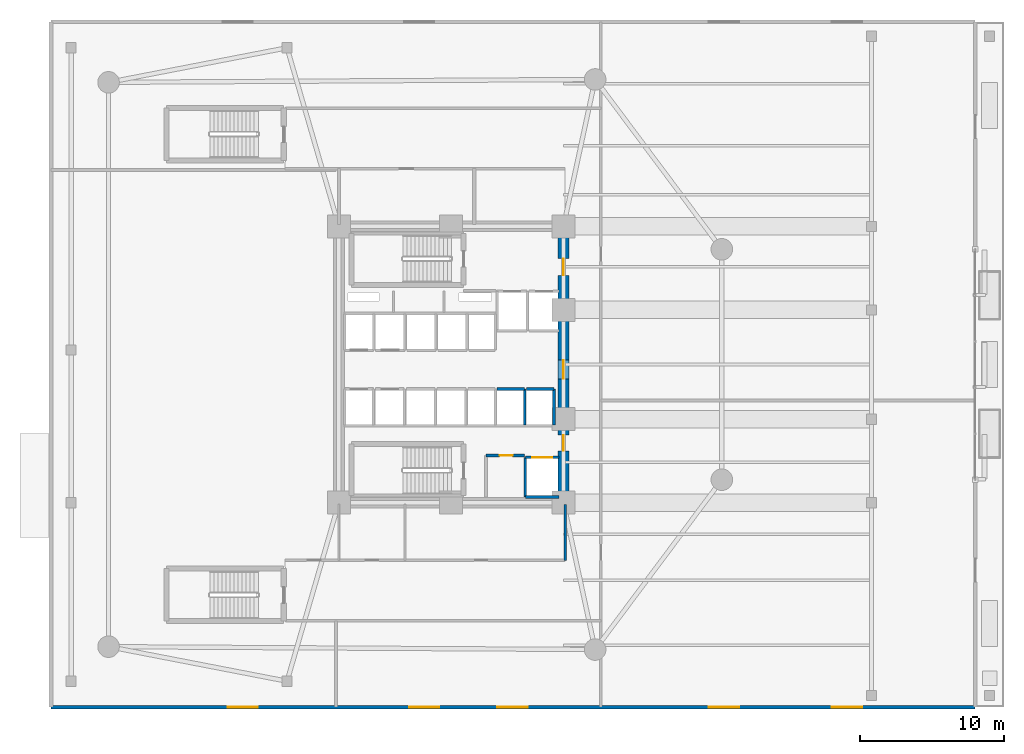
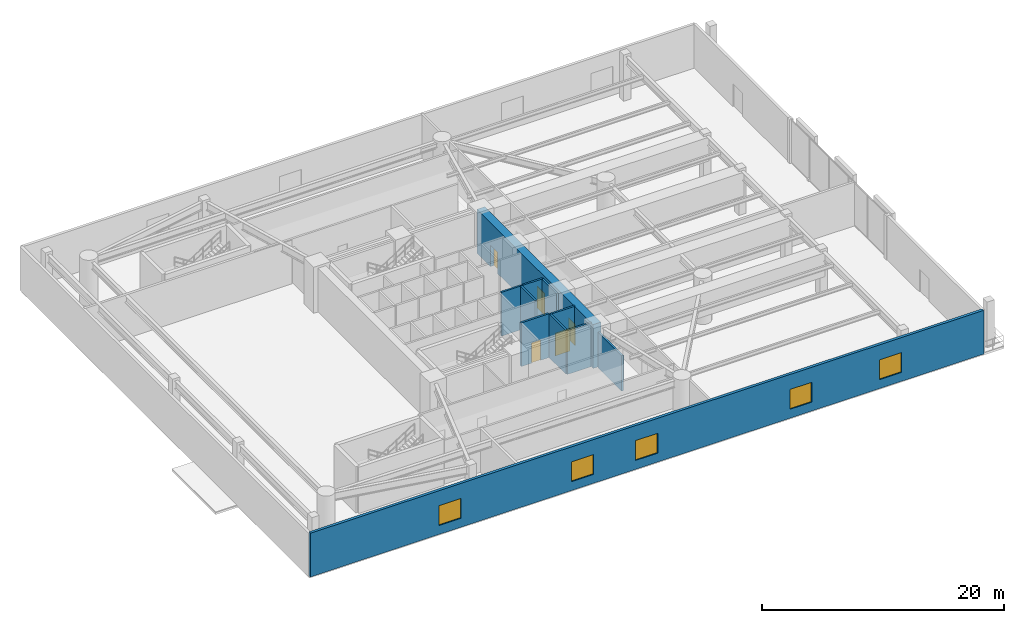
# One storey, part 6 of 11: 11 walls, 5 doors, 5 windows, 10 openings.
"""IFC4 building model written with IfcOpenShell, lengths in metres."""

from ifc_helpers import new_model, si_unit, direction, frame, frame_2d, origin, place, context, subcontext, project, spatial, rectangle, extrude, material, layer, layer_set, type_object, element, fill, save


model = new_model("IFC4")

# Units and contexts
model_context = context("Model", 3, precision=1e-05, world=origin(), true_north=direction((0.0, 1.0)))
body_context = subcontext(model_context, "Body", "Model", "MODEL_VIEW")
ifc_project = project(units=[si_unit("LENGTHUNIT", "METRE"), si_unit("AREAUNIT", "SQUARE_METRE"), si_unit("VOLUMEUNIT", "CUBIC_METRE"), si_unit("PLANEANGLEUNIT", "RADIAN"), si_unit("MASSUNIT", "GRAM", prefix="KILO")], contexts=[model_context])

# Site, building, storey
site_placement = place(None, origin())
site = spatial("IfcSite", under=ifc_project, at=site_placement, CompositionType="ELEMENT")
building_placement = place(site_placement, origin())
building = spatial("IfcBuilding", under=site, at=building_placement, Name="An Khanh Terracotta Commons", CompositionType="ELEMENT")
storey_placement = place(building_placement, frame((0.0, 0.0, 19.35009765625)))
storey = spatial("IfcBuildingStorey", under=building, at=storey_placement, Name="L05", CompositionType="ELEMENT", Elevation=19.35009765625)

# Wall, openings, doors
ifc_material_1 = material(Name="Concrete C70/85", Category="concrete")
ifc_layer_1 = layer(ifc_material_1, 0.75, Name="Concrete C70/85")
ifc_layer_set_1 = layer_set([ifc_layer_1], Name="Concrete C70/85")
wall_type_1 = type_object("IfcWallType", Name="WALL-CORE-750", PredefinedType="SHEAR", material=ifc_layer_set_1)
wall_1_placement = place(storey_placement, frame((37.199951171875, 14.39990234375, 0.0), z_axis=(0.0, 0.0, 1.0), x_axis=(0.0, 1.0, 0.0)))
wall_1 = element("IfcWall", 1, at=wall_1_placement, inside=storey, type_object=wall_type_1, Name="L05 Core Wall CWALL-L05-E", PredefinedType="SHEAR", context=body_context, shape_type="SweptSolid", body=[
    extrude(rectangle(XDim=19.2001953125, YDim=0.75, at=frame_2d((9.60009765625, 0.0))), origin(), (0.0, 0.0, 1.0), 4.409912109375),
])
opening_1_placement = place(wall_1_placement, frame((15.800048828125, 0.0, 0.0)))
opening_1 = element("IfcOpeningElement", 2, at=opening_1_placement, cuts=wall_1, Name="Opening D-FFL", PredefinedType="OPENING", context=body_context, shape_type="SweptSolid", body=[
    extrude(rectangle(XDim=1.14990234375, YDim=2.14990234375, at=frame_2d((0.574951171875, 1.074951171875))), frame((0.0, 0.385009765625, 0.0), z_axis=(0.0, -1.0, 0.0), x_axis=(1.0, 0.0, 0.0)), (0.0, 0.0, 1.0), 0.77001953125),
])
opening_2_placement = place(wall_1_placement, frame((3.60009765625, 0.0, 0.0)))
opening_2 = element("IfcOpeningElement", 3, at=opening_2_placement, cuts=wall_1, Name="Opening D-ST", PredefinedType="OPENING", context=body_context, shape_type="SweptSolid", body=[
    extrude(rectangle(XDim=1.10009765625, YDim=2.14990234375, at=frame_2d((0.550048828125, 1.074951171875))), frame((0.0, 0.385009765625, 0.0), z_axis=(0.0, -1.0, 0.0), x_axis=(1.0, 0.0, 0.0)), (0.0, 0.0, 1.0), 0.77001953125),
])
opening_3_placement = place(wall_1_placement, frame((8.60009765625, 0.0, 0.0)))
opening_3 = element("IfcOpeningElement", 4, at=opening_3_placement, cuts=wall_1, Name="Opening D-COR", PredefinedType="OPENING", context=body_context, shape_type="SweptSolid", body=[
    extrude(rectangle(XDim=1.300048828125, YDim=2.199951171875, at=frame_2d((0.64990234375, 1.10009765625))), frame((0.0, 0.385009765625, 0.0), z_axis=(0.0, -1.0, 0.0), x_axis=(1.0, 0.0, 0.0)), (0.0, 0.0, 1.0), 0.77001953125),
])
ifc_material_2 = material(Name="Fire-Rated Glazed Steel Double Door", Category="steel")
door_type_1 = type_object("IfcDoorType", Name="DOOR-CORR-1300", OperationType="NOTDEFINED", PredefinedType="DOOR", material=ifc_material_2)
door_1_placement = place(opening_3_placement, origin())
door_1 = element("IfcDoor", 5, at=door_1_placement, inside=storey, type_object=door_type_1, Name="L05 Passenger Lift Lobby Double Door", OperationType="DOUBLE_DOOR_SINGLE_SWING", OverallHeight=2.199951171875, OverallWidth=1.300048828125, PredefinedType="DOOR", context=body_context, shape_type="SweptSolid", body=[
    extrude(rectangle(XDim=1.300048828125, YDim=2.199951171875, at=frame_2d((0.64990234375, 1.10009765625))), frame((0.0, 0.02490234375, 0.0), z_axis=(0.0, -1.0, 0.0), x_axis=(1.0, 0.0, 0.0)), (0.0, 0.0, 1.0), 0.050048828125),
])
fill(opening_3, door_1)
ifc_material_3 = material(Name="Fire-Rated Steel Leaf and Vision Panel", Category="steel")
door_type_2 = type_object("IfcDoorType", Name="DOOR-FFL-1150", OperationType="NOTDEFINED", PredefinedType="DOOR", material=ifc_material_3)
door_2_placement = place(opening_1_placement, origin())
door_2 = element("IfcDoor", 6, at=door_2_placement, inside=storey, type_object=door_type_2, Name="L05 Firefighting Lift Lobby Fire Door", OperationType="SINGLE_SWING_RIGHT", OverallHeight=2.14990234375, OverallWidth=1.14990234375, PredefinedType="DOOR", context=body_context, shape_type="SweptSolid", body=[
    extrude(rectangle(XDim=1.14990234375, YDim=2.14990234375, at=frame_2d((0.574951171875, 1.074951171875))), frame((0.0, 0.02490234375, 0.0), z_axis=(0.0, -1.0, 0.0), x_axis=(1.0, 0.0, 0.0)), (0.0, 0.0, 1.0), 0.050048828125),
])
fill(opening_1, door_2)
ifc_material_4 = material(Name="Fire-Rated Steel Leaf and Frame", Category="steel")
door_type_3 = type_object("IfcDoorType", Name="DOOR-STAIR-1100", OperationType="NOTDEFINED", PredefinedType="DOOR", material=ifc_material_4)
door_3_placement = place(opening_2_placement, origin())
door_3 = element("IfcDoor", 7, at=door_3_placement, inside=storey, type_object=door_type_3, Name="L05 South Stair Lobby Fire Door", OperationType="SINGLE_SWING_LEFT", OverallHeight=2.14990234375, OverallWidth=1.10009765625, PredefinedType="DOOR", context=body_context, shape_type="SweptSolid", body=[
    extrude(rectangle(XDim=1.10009765625, YDim=2.14990234375, at=frame_2d((0.550048828125, 1.074951171875))), frame((0.0, 0.02490234375, 0.0), z_axis=(0.0, -1.0, 0.0), x_axis=(1.0, 0.0, 0.0)), (0.0, 0.0, 1.0), 0.050048828125),
])
fill(opening_2, door_3)

# Wall, opening, door
ifc_material_5 = material(Name="Fire-Rated Gypsum Board on Steel Stud", Category="steel")
ifc_layer_2 = layer(ifc_material_5, 0.179931640625, Name="Fire-Rated Gypsum Board on Steel Stud")
ifc_layer_set_2 = layer_set([ifc_layer_2], Name="Fire-Rated Gypsum Board on Steel Stud")
wall_type_2 = type_object("IfcWallType", Name="WALL-CORR-180", PredefinedType="PARTITIONING", material=ifc_layer_set_2)
wall_2_placement = place(storey_placement, frame((31.820068359375, 17.679931640625, 0.0), z_axis=(0.0, 0.0, 1.0), x_axis=(1.0, 0.0, 0.0)))
wall_2 = element("IfcWall", 8, at=wall_2_placement, inside=storey, type_object=wall_type_2, Name="L05 Core Wall SSVCW-L05-N", PredefinedType="PARTITIONING", context=body_context, shape_type="SweptSolid", body=[
    extrude(rectangle(XDim=2.659912109375, YDim=0.179931640625, at=frame_2d((1.330078125, 0.0))), origin(), (0.0, 0.0, 1.0), 4.409912109375),
])
opening_4_placement = place(wall_2_placement, frame((0.949951171875, 0.0, 0.0)))
opening_4 = element("IfcOpeningElement", 9, at=opening_4_placement, cuts=wall_2, Name="Opening D-SV", PredefinedType="OPENING", context=body_context, shape_type="SweptSolid", body=[
    extrude(rectangle(XDim=0.89990234375, YDim=2.050048828125, at=frame_2d((0.449951171875, 1.02490234375))), frame((0.0, 0.099853515625, 0.0), z_axis=(0.0, -1.0, 0.0), x_axis=(1.0, 0.0, 0.0)), (0.0, 0.0, 1.0), 0.199951171875),
])
ifc_material_6 = material(Name="Fire-Rated Powder-Coated Steel Door", Category="steel")
door_type_4 = type_object("IfcDoorType", Name="DOOR-SERV-900", OperationType="NOTDEFINED", PredefinedType="DOOR", material=ifc_material_6)
door_4_placement = place(opening_4_placement, origin())
door_4 = element("IfcDoor", 10, at=door_4_placement, inside=storey, type_object=door_type_4, Name="L05 Core Housekeeping Store Door", OperationType="SINGLE_SWING_RIGHT", OverallHeight=2.050048828125, OverallWidth=0.89990234375, PredefinedType="DOOR", context=body_context, shape_type="SweptSolid", body=[
    extrude(rectangle(XDim=0.89990234375, YDim=2.050048828125, at=frame_2d((0.449951171875, 1.02490234375))), frame((0.0, 0.02490234375, 0.0), z_axis=(0.0, -1.0, 0.0), x_axis=(1.0, 0.0, 0.0)), (0.0, 0.0, 1.0), 0.050048828125),
])
fill(opening_4, door_4)

wall_3_placement = place(storey_placement, frame((34.550048828125, 17.550048828125, 0.0), z_axis=(0.0, 0.0, 1.0), x_axis=(1.0, 0.0, 0.0)))
wall_3 = element("IfcWall", 11, at=wall_3_placement, inside=storey, type_object=wall_type_2, Name="L05 Core Wall LSH-L05-SVL-01-N", PredefinedType="PARTITIONING", context=body_context, shape_type="SweptSolid", body=[
    extrude(rectangle(XDim=2.349853515625, YDim=0.179931640625, at=frame_2d((1.1748046875, 0.0))), origin(), (0.0, 0.0, 1.0), 4.409912109375),
])
opening_5_placement = place(wall_3_placement, frame((0.47509765625, 0.0, 0.0)))
opening_5 = element("IfcOpeningElement", 12, at=opening_5_placement, cuts=wall_3, Name="Opening LD-SVL-01-L05", PredefinedType="OPENING", context=body_context, shape_type="SweptSolid", body=[
    extrude(rectangle(XDim=1.39990234375, YDim=2.300048828125, at=frame_2d((0.699951171875, 1.14990234375))), frame((0.0, 0.099853515625, 0.0), z_axis=(0.0, -1.0, 0.0), x_axis=(1.0, 0.0, 0.0)), (0.0, 0.0, 1.0), 0.199951171875),
])
ifc_material_7 = material(Name="Heavy-Duty Stainless Steel Goods Landing Door", Category="steel")
door_type_5 = type_object("IfcDoorType", Name="DOOR-LD-SVL-1400", OperationType="NOTDEFINED", PredefinedType="DOOR", material=ifc_material_7)
door_5_placement = place(opening_5_placement, origin())
door_5 = element("IfcDoor", 13, at=door_5_placement, inside=storey, type_object=door_type_5, Name="L05 Lift SVL-01 Sliding Landing Door", OperationType="DOUBLE_DOOR_SLIDING", OverallHeight=2.300048828125, OverallWidth=1.39990234375, PredefinedType="DOOR", context=body_context, shape_type="SweptSolid", body=[
    extrude(rectangle(XDim=1.39990234375, YDim=2.300048828125, at=frame_2d((0.699951171875, 1.14990234375))), frame((0.0, 0.02490234375, 0.0), z_axis=(0.0, -1.0, 0.0), x_axis=(1.0, 0.0, 0.0)), (0.0, 0.0, 1.0), 0.050048828125),
])
fill(opening_5, door_5)

# Walls
wall_4_placement = place(storey_placement, frame((36.89990234375, 14.800048828125, 0.0), z_axis=(0.0, 0.0, 1.0), x_axis=(-1.0, 0.0, 0.0)))
element("IfcWall", 14, at=wall_4_placement, inside=storey, type_object=wall_type_2, Name="L05 Core Wall LSH-L05-SVL-01-S", PredefinedType="PARTITIONING", context=body_context, shape_type="SweptSolid", body=[
    extrude(rectangle(XDim=2.349853515625, YDim=0.179931640625, at=frame_2d((1.1748046875, 0.0))), origin(), (0.0, 0.0, 1.0), 4.409912109375),
])
wall_5_placement = place(storey_placement, frame((34.550048828125, 17.550048828125, 0.0), z_axis=(0.0, 0.0, 1.0), x_axis=(0.0, -1.0, 0.0)))
element("IfcWall", 15, at=wall_5_placement, inside=storey, type_object=wall_type_2, Name="L05 Core Wall LSH-L05-SVL-01-W", PredefinedType="PARTITIONING", context=body_context, shape_type="SweptSolid", body=[
    extrude(rectangle(XDim=2.75, YDim=0.179931640625, at=frame_2d((1.375, 0.0))), origin(), (0.0, 0.0, 1.0), 4.409912109375),
])
wall_6_placement = place(storey_placement, frame((32.60009765625, 22.300048828125, 0.0), z_axis=(0.0, 0.0, 1.0), x_axis=(1.0, 0.0, 0.0)))
element("IfcWall", 16, at=wall_6_placement, inside=storey, type_object=wall_type_2, Name="L05 Core Wall LSH-L05-PL-H3-N", PredefinedType="PARTITIONING", context=body_context, shape_type="SweptSolid", body=[
    extrude(rectangle(XDim=1.89990234375, YDim=0.179931640625, at=frame_2d((0.949951171875, 0.0))), origin(), (0.0, 0.0, 1.0), 4.409912109375),
])
wall_7_placement = place(storey_placement, frame((34.5, 19.800048828125, 0.0), z_axis=(0.0, 0.0, 1.0), x_axis=(0.0, 1.0, 0.0)))
element("IfcWall", 17, at=wall_7_placement, inside=storey, type_object=wall_type_2, Name="L05 Core Wall LSH-L05-PL-H3-E", PredefinedType="PARTITIONING", context=body_context, shape_type="SweptSolid", body=[
    extrude(rectangle(XDim=2.5, YDim=0.179931640625, at=frame_2d((1.25, 0.0))), origin(), (0.0, 0.0, 1.0), 4.409912109375),
])
wall_8_placement = place(storey_placement, frame((34.639892578125, 22.300048828125, 0.0), z_axis=(0.0, 0.0, 1.0), x_axis=(1.0, 0.0, 0.0)))
element("IfcWall", 18, at=wall_8_placement, inside=storey, type_object=wall_type_2, Name="L05 Core Wall LSH-L05-PL-H4-N", PredefinedType="PARTITIONING", context=body_context, shape_type="SweptSolid", body=[
    extrude(rectangle(XDim=1.900146484375, YDim=0.179931640625, at=frame_2d((0.9501953125, 0.0))), origin(), (0.0, 0.0, 1.0), 4.409912109375),
])
wall_9_placement = place(storey_placement, frame((36.5400390625, 19.800048828125, 0.0), z_axis=(0.0, 0.0, 1.0), x_axis=(0.0, 1.0, 0.0)))
element("IfcWall", 19, at=wall_9_placement, inside=storey, type_object=wall_type_2, Name="L05 Core Wall LSH-L05-PL-H4-E", PredefinedType="PARTITIONING", context=body_context, shape_type="SweptSolid", body=[
    extrude(rectangle(XDim=2.5, YDim=0.179931640625, at=frame_2d((1.25, 0.0))), origin(), (0.0, 0.0, 1.0), 4.409912109375),
])
wall_10_placement = place(storey_placement, frame((37.31005859375, 10.39990234375, 0.0), z_axis=(0.0, 0.0, 1.0), x_axis=(0.0, 1.0, 0.0)))
element("IfcWall", 20, at=wall_10_placement, inside=storey, type_object=wall_type_2, Name="L05 Interior Partition IW-L05-E012", PredefinedType="PARTITIONING", context=body_context, shape_type="SweptSolid", body=[
    extrude(rectangle(XDim=3.880126953125, YDim=0.179931640625, at=frame_2d((1.93994140625, 0.0))), origin(), (0.0, 0.0, 1.0), 3.591796875),
])

# Wall, openings, windows
ifc_material_8 = material(Name="Concrete C40/50", Category="concrete")
ifc_layer_3 = layer(ifc_material_8, 0.260009765625, Name="Concrete C40/50")
ifc_layer_set_3 = layer_set([ifc_layer_3], Name="Concrete C40/50")
wall_type_3 = type_object("IfcWallType", Name="WALL-POD-260", PredefinedType="SOLIDWALL", material=ifc_layer_set_3)
wall_11_placement = place(storey_placement, frame((65.800048828125, 0.199951171875, 0.0), z_axis=(0.0, 0.0, 1.0), x_axis=(-1.0, 0.0, 0.0)))
wall_11 = element("IfcWall", 21, at=wall_11_placement, inside=storey, type_object=wall_type_3, Name="L05 South Exterior Wall", PredefinedType="SOLIDWALL", context=body_context, shape_type="SweptSolid", body=[
    extrude(rectangle(XDim=64.199951171875, YDim=0.260009765625, at=frame_2d((32.10009765625, 0.0))), origin(), (0.0, 0.0, 1.0), 4.409912109375),
])
opening_6_placement = place(wall_11_placement, frame((7.85009765625, 0.0, 0.89990234375)))
opening_6 = element("IfcOpeningElement", 22, at=opening_6_placement, cuts=wall_11, Name="Opening W-09", PredefinedType="OPENING", context=body_context, shape_type="SweptSolid", body=[
    extrude(rectangle(XDim=2.10009765625, YDim=2.0, at=frame_2d((1.050048828125, 1.0))), frame((0.0, 0.139892578125, 0.0), z_axis=(0.0, -1.0, 0.0), x_axis=(1.0, 0.0, 0.0)), (0.0, 0.0, 1.0), 0.280029296875),
])
opening_7_placement = place(wall_11_placement, frame((16.39990234375, 0.0, 0.89990234375)))
opening_7 = element("IfcOpeningElement", 23, at=opening_7_placement, cuts=wall_11, Name="Opening W-09", PredefinedType="OPENING", context=body_context, shape_type="SweptSolid", body=[
    extrude(rectangle(XDim=2.10009765625, YDim=2.0, at=frame_2d((1.050048828125, 1.0))), frame((0.0, 0.139892578125, 0.0), z_axis=(0.0, -1.0, 0.0), x_axis=(1.0, 0.0, 0.0)), (0.0, 0.0, 1.0), 0.280029296875),
])
opening_8_placement = place(wall_11_placement, frame((31.0830078125, 0.0, 0.89990234375)))
opening_8 = element("IfcOpeningElement", 24, at=opening_8_placement, cuts=wall_11, Name="Opening W-09", PredefinedType="OPENING", context=body_context, shape_type="SweptSolid", body=[
    extrude(rectangle(XDim=2.10009765625, YDim=2.0, at=frame_2d((1.050048828125, 1.0))), frame((0.0, 0.139892578125, 0.0), z_axis=(0.0, -1.0, 0.0), x_axis=(1.0, 0.0, 0.0)), (0.0, 0.0, 1.0), 0.280029296875),
])
opening_9_placement = place(wall_11_placement, frame((37.217041015625, 0.0, 0.89990234375)))
opening_9 = element("IfcOpeningElement", 25, at=opening_9_placement, cuts=wall_11, Name="Opening W-09", PredefinedType="OPENING", context=body_context, shape_type="SweptSolid", body=[
    extrude(rectangle(XDim=2.10009765625, YDim=2.0, at=frame_2d((1.050048828125, 1.0))), frame((0.0, 0.139892578125, 0.0), z_axis=(0.0, -1.0, 0.0), x_axis=(1.0, 0.0, 0.0)), (0.0, 0.0, 1.0), 0.280029296875),
])
opening_10_placement = place(wall_11_placement, frame((49.8330078125, 0.0, 0.89990234375)))
opening_10 = element("IfcOpeningElement", 26, at=opening_10_placement, cuts=wall_11, Name="Opening W-09", PredefinedType="OPENING", context=body_context, shape_type="SweptSolid", body=[
    extrude(rectangle(XDim=2.10009765625, YDim=2.0, at=frame_2d((1.050048828125, 1.0))), frame((0.0, 0.139892578125, 0.0), z_axis=(0.0, -1.0, 0.0), x_axis=(1.0, 0.0, 0.0)), (0.0, 0.0, 1.0), 0.280029296875),
])
ifc_material_9 = material(Name="Thermally Broken Aluminium and Low-E Glass", Category="aluminium")
window_type = type_object("IfcWindowType", Name="WIN-POD-2100x2000", PartitioningType="DOUBLE_PANEL_VERTICAL", PredefinedType="WINDOW", material=ifc_material_9)
window_1_placement = place(opening_6_placement, origin())
window_1 = element("IfcWindow", 27, at=window_1_placement, inside=storey, type_object=window_type, Name="L05 South Podium Window 1", OverallHeight=2.0, OverallWidth=2.10009765625, PartitioningType="DOUBLE_PANEL_VERTICAL", PredefinedType="WINDOW", context=body_context, shape_type="SweptSolid", body=[
    extrude(rectangle(XDim=2.10009765625, YDim=2.0, at=frame_2d((1.050048828125, 1.0))), frame((0.0, 0.030029296875, 0.0), z_axis=(0.0, -1.0, 0.0), x_axis=(1.0, 0.0, 0.0)), (0.0, 0.0, 1.0), 0.06005859375),
])
fill(opening_6, window_1)
window_2_placement = place(opening_7_placement, origin())
window_2 = element("IfcWindow", 28, at=window_2_placement, inside=storey, type_object=window_type, Name="L05 South Podium Window 2", OverallHeight=2.0, OverallWidth=2.10009765625, PartitioningType="DOUBLE_PANEL_VERTICAL", PredefinedType="WINDOW", context=body_context, shape_type="SweptSolid", body=[
    extrude(rectangle(XDim=2.10009765625, YDim=2.0, at=frame_2d((1.050048828125, 1.0))), frame((0.0, 0.030029296875, 0.0), z_axis=(0.0, -1.0, 0.0), x_axis=(1.0, 0.0, 0.0)), (0.0, 0.0, 1.0), 0.06005859375),
])
fill(opening_7, window_2)
window_3_placement = place(opening_8_placement, origin())
window_3 = element("IfcWindow", 29, at=window_3_placement, inside=storey, type_object=window_type, Name="L05 South Podium Window 3", OverallHeight=2.0, OverallWidth=2.10009765625, PartitioningType="DOUBLE_PANEL_VERTICAL", PredefinedType="WINDOW", context=body_context, shape_type="SweptSolid", body=[
    extrude(rectangle(XDim=2.10009765625, YDim=2.0, at=frame_2d((1.050048828125, 1.0))), frame((0.0, 0.030029296875, 0.0), z_axis=(0.0, -1.0, 0.0), x_axis=(1.0, 0.0, 0.0)), (0.0, 0.0, 1.0), 0.06005859375),
])
fill(opening_8, window_3)
window_4_placement = place(opening_9_placement, origin())
window_4 = element("IfcWindow", 30, at=window_4_placement, inside=storey, type_object=window_type, Name="L05 South Podium Window 4", OverallHeight=2.0, OverallWidth=2.10009765625, PartitioningType="DOUBLE_PANEL_VERTICAL", PredefinedType="WINDOW", context=body_context, shape_type="SweptSolid", body=[
    extrude(rectangle(XDim=2.10009765625, YDim=2.0, at=frame_2d((1.050048828125, 1.0))), frame((0.0, 0.030029296875, 0.0), z_axis=(0.0, -1.0, 0.0), x_axis=(1.0, 0.0, 0.0)), (0.0, 0.0, 1.0), 0.06005859375),
])
fill(opening_9, window_4)
window_5_placement = place(opening_10_placement, origin())
window_5 = element("IfcWindow", 31, at=window_5_placement, inside=storey, type_object=window_type, Name="L05 South Podium Window 5", OverallHeight=2.0, OverallWidth=2.10009765625, PartitioningType="DOUBLE_PANEL_VERTICAL", PredefinedType="WINDOW", context=body_context, shape_type="SweptSolid", body=[
    extrude(rectangle(XDim=2.10009765625, YDim=2.0, at=frame_2d((1.050048828125, 1.0))), frame((0.0, 0.030029296875, 0.0), z_axis=(0.0, -1.0, 0.0), x_axis=(1.0, 0.0, 0.0)), (0.0, 0.0, 1.0), 0.06005859375),
])
fill(opening_10, window_5)

save(model, "model.ifc")
